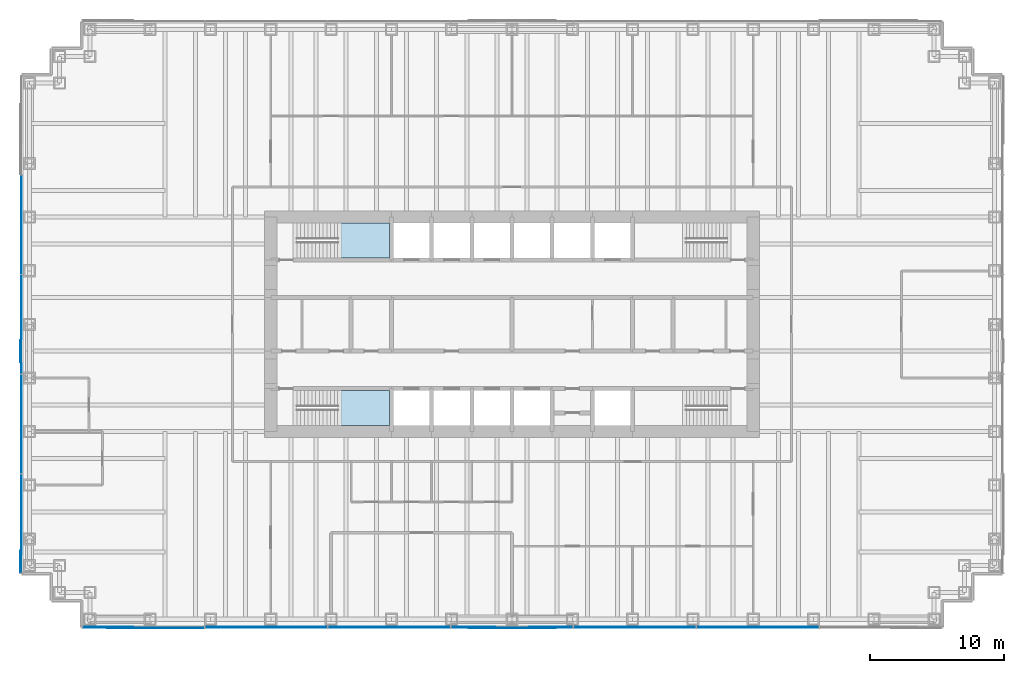
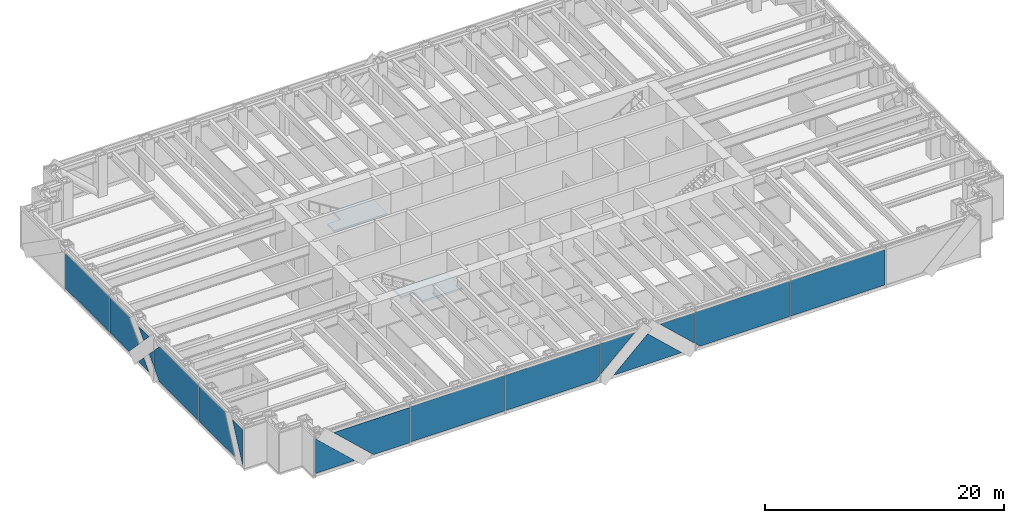
# One storey, part 10 of 17: 17 plates, 2 slabs, 4 elements without a shape of their own.
"""IFC4 building model written with IfcOpenShell, lengths in metres."""

import ifcopenshell
import ifcopenshell.guid

model = None  # the IFC model being written
_history = None  # IfcOwnerHistory: only IFC2X3 demands one
_inside = {}  # id of a spatial element -> (the spatial element, [elements in it])
_under = {}  # id of a project, library or spatial element -> (it, [spatial elements below it])
_declared = {}  # id of a project -> (the project, [libraries it declares])
_typed = {}  # id of a type object -> (the type object, [elements of that type])
_made_of = {}  # id of a material, layer set ... -> (it, [elements and type objects made of it])


def new_model(schema):
    """Start an empty IFC model of exactly this schema.

    Asked for "IFC4X3", IfcOpenShell would pick the latest addendum, in which some entities
    have other attributes; the version numbers below select the first issue.
    IFC2X3 requires an IfcOwnerHistory on every rooted entity: one is made here for all.
    """
    global model, _history
    if schema == "IFC4X3":
        model = ifcopenshell.file(schema_version=(4, 3, 0, 0))
    else:
        model = ifcopenshell.file(schema=schema)
    _inside.clear()
    _under.clear()
    _declared.clear()
    _typed.clear()
    _made_of.clear()
    _history = None
    if model.schema == "IFC2X3":
        org = make("IfcOrganization", Name="unknown")
        user = make(
            "IfcPersonAndOrganization",
            ThePerson=make("IfcPerson", FamilyName="unknown"),
            TheOrganization=org,
        )
        app = make(
            "IfcApplication",
            ApplicationDeveloper=org,
            Version="unknown",
            ApplicationFullName="unknown",
            ApplicationIdentifier="unknown",
        )
        _history = make(
            "IfcOwnerHistory",
            OwningUser=user,
            OwningApplication=app,
            ChangeAction="ADDED",
            CreationDate=0,
        )
    return model


def make(cls, **values):
    """One entity of the class cls with the attributes given. An attribute that is None is left unset."""
    return model.create_entity(
        cls, **{name: value for name, value in values.items() if value is not None}
    )


def rooted(cls, **values):
    """An entity with a GlobalId (a new one), such as an element, a storey or a relation."""
    return make(cls, GlobalId=ifcopenshell.guid.new(), OwnerHistory=_history, **values)


def si_unit(unit_type, name, prefix=None):
    """IfcSIUnit, for example si_unit("LENGTHUNIT", "METRE", prefix="MILLI")."""
    return make("IfcSIUnit", UnitType=unit_type, Prefix=prefix, Name=name)


def assignment(units):
    """IfcUnitAssignment: the units of a project."""
    return None if units is None else make("IfcUnitAssignment", Units=units)


def point(xyz):
    """IfcCartesianPoint."""
    return None if xyz is None else make("IfcCartesianPoint", Coordinates=xyz)


def direction(xyz):
    """IfcDirection."""
    return None if xyz is None else make("IfcDirection", DirectionRatios=xyz)


def frame(location, z_axis=None, x_axis=None):
    """IfcAxis2Placement3D, a coordinate frame: its origin and axes. An axis left out is left unset."""
    return make(
        "IfcAxis2Placement3D",
        Location=point(location),
        Axis=direction(z_axis),
        RefDirection=direction(x_axis),
    )


def frame_2d(location, x_axis=None):
    """IfcAxis2Placement2D, a coordinate frame in the plane: its origin and x axis."""
    return make(
        "IfcAxis2Placement2D", Location=point(location), RefDirection=direction(x_axis)
    )


def origin():
    """The frame at (0, 0, 0) with its axes left unset."""
    return frame((0.0, 0.0, 0.0))


def origin_2d():
    """The frame at (0, 0) in the plane with its x axis left unset."""
    return frame_2d((0.0, 0.0))


def place(relative_to, where):
    """IfcLocalPlacement: puts the frame where relative to a parent placement (None: the world)."""
    return make(
        "IfcLocalPlacement", PlacementRelTo=relative_to, RelativePlacement=where
    )


def context(
    kind, dimensions, precision=None, world=None, true_north=None, identifier=None
):
    """IfcGeometricRepresentationContext, for example the 3D "Model" context."""
    return make(
        "IfcGeometricRepresentationContext",
        ContextIdentifier=identifier,
        ContextType=kind,
        CoordinateSpaceDimension=dimensions,
        Precision=precision,
        WorldCoordinateSystem=world,
        TrueNorth=true_north,
    )


def subcontext(parent, identifier, kind, view, scale=None):
    """IfcGeometricRepresentationSubContext, for example "Body" below "Model"."""
    return make(
        "IfcGeometricRepresentationSubContext",
        ContextIdentifier=identifier,
        ContextType=kind,
        ParentContext=parent,
        TargetScale=scale,
        TargetView=view,
    )


def project(units=None, contexts=None):
    """IfcProject with its units and contexts."""
    return rooted(
        "IfcProject",
        Name="project",
        RepresentationContexts=contexts,
        UnitsInContext=assignment(units),
    )


def spatial(cls, under=None, at=None, **own):
    """A site, building, storey or space (cls), placed at a placement, below another one or the project."""
    s = rooted(cls, ObjectPlacement=at, **own)
    if under is not None:
        _under.setdefault(under.id(), (under, []))[1].append(s)
    return s


def polyline(points):
    """IfcPolyline through the points."""
    return make("IfcPolyline", Points=[point(p) for p in points])


def profile(cls, at=None, kind="AREA", **sizes):
    """A parametric profile (cls). Its sizes go by their IFC names, for example OverallWidth=200.0."""
    return make(cls, ProfileType=kind, Position=at, **sizes)


def rectangle(**sizes):
    """IfcRectangleProfileDef."""
    return profile("IfcRectangleProfileDef", **sizes)


def outline(outer, holes=None, kind="AREA"):
    """IfcArbitraryClosedProfileDef: a profile drawn as a closed curve; with holes, ...WithVoids."""
    if holes is None:
        return make("IfcArbitraryClosedProfileDef", ProfileType=kind, OuterCurve=outer)
    return make(
        "IfcArbitraryProfileDefWithVoids",
        ProfileType=kind,
        OuterCurve=outer,
        InnerCurves=holes,
    )


def extrude(swept, where, along, depth):
    """IfcExtrudedAreaSolid: the profile swept, set in the frame where, extruded along a direction by depth."""
    return make(
        "IfcExtrudedAreaSolid",
        SweptArea=swept,
        Position=where,
        ExtrudedDirection=direction(along),
        Depth=depth,
    )


def shape(context_of_items, identifier, shape_type, items):
    """IfcShapeRepresentation: the items that make up one representation, for example the "Body"."""
    return make(
        "IfcShapeRepresentation",
        ContextOfItems=context_of_items,
        RepresentationIdentifier=identifier,
        RepresentationType=shape_type,
        Items=items,
    )


def material(Name=None, Category=None):
    """IfcMaterial."""
    return make("IfcMaterial", Name=Name, Category=Category)


def layer(
    of_material, thickness, ventilated=None, Name=None, Category=None, Priority=None
):
    """IfcMaterialLayer: one layer of a wall or slab, of a material (None: an air gap)."""
    return make(
        "IfcMaterialLayer",
        Material=of_material,
        LayerThickness=thickness,
        IsVentilated=ventilated,
        Name=Name,
        Category=Category,
        Priority=Priority,
    )


def layer_set(layers, Name=None):
    """IfcMaterialLayerSet."""
    return make("IfcMaterialLayerSet", MaterialLayers=layers, LayerSetName=Name)


def made_of(thing, what):
    """Note that an element or type object is made of a material, layer set ...; save() writes the relation."""
    if what is not None:
        _made_of.setdefault(what.id(), (what, []))[1].append(thing)
    return thing


def type_object(cls, material=None, **own):
    """A type object (cls), such as IfcWallType, which elements share."""
    return made_of(rooted(cls, **own), material)


def element(
    cls,
    number,
    at=None,
    inside=None,
    cuts=None,
    type_object=None,
    material=None,
    context=None,
    identifier="Body",
    shape_type=None,
    held_by="IfcProductDefinitionShape",
    body=None,
    shapes=None,
    **own,
):
    """One element of the class cls, such as IfcWall. Its Tag is "e" and its number.

    at: its placement. inside: the storey or other place that contains it. cuts: it is an
    opening in that element (IfcRelVoidsElement). A single representation is given by context,
    identifier, shape_type and body (its items); several are given by shapes. held_by: the class
    of the entity that holds the representations. save() writes the other relations.
    """
    e = rooted(cls, Tag="e%d" % number, ObjectPlacement=at, **own)
    if body is not None:
        shapes = [shape(context, identifier, shape_type, body)]
    if shapes is not None:
        e.Representation = make(held_by, Representations=shapes)
    if inside is not None:
        _inside.setdefault(inside.id(), (inside, []))[1].append(e)
    if cuts is not None:
        rooted(
            "IfcRelVoidsElement", RelatingBuildingElement=cuts, RelatedOpeningElement=e
        )
    if type_object is not None:
        _typed.setdefault(type_object.id(), (type_object, []))[1].append(e)
    return made_of(e, material)


def aggregate(whole, parts):
    """IfcRelAggregates: a whole, such as a stair, and the parts it consists of."""
    return rooted("IfcRelAggregates", RelatingObject=whole, RelatedObjects=parts)


def save(model, path):
    """Write the relations noted so far, then the file.

    IfcRelAggregates (storeys below a building ...), IfcRelContainedInSpatialStructure (elements
    in a storey), IfcRelDefinesByType, IfcRelAssociatesMaterial and IfcRelDeclares: one each for
    every whole, place, type object, material and project.
    """
    for whole, parts in _under.values():
        aggregate(whole, parts)
    for where, things in _inside.values():
        rooted(
            "IfcRelContainedInSpatialStructure",
            RelatedElements=things,
            RelatingStructure=where,
        )
    for kind, things in _typed.values():
        rooted("IfcRelDefinesByType", RelatedObjects=things, RelatingType=kind)
    for what, things in _made_of.values():
        rooted("IfcRelAssociatesMaterial", RelatedObjects=things, RelatingMaterial=what)
    for by, libraries in _declared.values():
        rooted("IfcRelDeclares", RelatingContext=by, RelatedDefinitions=libraries)
    model.write(path)


model = new_model("IFC4")

# Units and contexts
model_context = context("Model", 3, precision=1e-05, world=origin(), true_north=direction((0.0, 1.0)))
body_context = subcontext(model_context, "Body", "Model", "MODEL_VIEW")
ifc_project = project(units=[si_unit("LENGTHUNIT", "METRE"), si_unit("AREAUNIT", "SQUARE_METRE"), si_unit("VOLUMEUNIT", "CUBIC_METRE"), si_unit("PLANEANGLEUNIT", "RADIAN"), si_unit("MASSUNIT", "GRAM", prefix="KILO")], contexts=[model_context])

# Site, building, storey
site_placement = place(None, origin())
site = spatial("IfcSite", under=ifc_project, at=site_placement, CompositionType="ELEMENT")
building_placement = place(site_placement, origin())
building = spatial("IfcBuilding", under=site, at=building_placement, Name="Rheinbord Bourse Tower", CompositionType="ELEMENT")
storey_placement = place(building_placement, frame((0.0, 0.0, 121.5)))
storey = spatial("IfcBuildingStorey", under=building, at=storey_placement, Name="L26", CompositionType="ELEMENT", Elevation=121.5)

# Curtain wall, plates
ifc_material_1 = material(Name="Dark glass and black aluminium", Category="aluminium")
curtain_wall_type = type_object("IfcCurtainWallType", Name="CW2 DARK GLASS CURTAIN WALL", PredefinedType="USERDEFINED", material=ifc_material_1)
curtain_wall_1_placement = place(storey_placement, origin())
curtain_wall_1 = element("IfcCurtainWall", 1, at=curtain_wall_1_placement, inside=storey, type_object=curtain_wall_type, Name="Curtain wall CW2 S L26", ObjectType="UNITISED CURTAIN WALL", PredefinedType="USERDEFINED")
ifc_material_2 = material(Name="Dark tinted triple insulating glass", Category="glass")
ifc_layer_1 = layer(ifc_material_2, 0.050048828125)
ifc_layer_set_1 = layer_set([ifc_layer_1], Name="CW2 DARK GLASS PANEL")
plate_type = type_object("IfcPlateType", Name="CW2 DARK GLASS PANEL", PredefinedType="CURTAIN_PANEL", material=ifc_layer_set_1)
plate_1_placement = place(storey_placement, frame((17.6572265625, 1.39990234375, 0.300048828125), z_axis=(0.0, 0.0, 1.0), x_axis=(1.0, 0.0, 0.0)))
plate_1 = element("IfcPlate", 2, at=plate_1_placement, type_object=plate_type, Name="CW2 panel 2.1", PredefinedType="CURTAIN_PANEL", context=body_context, shape_type="SweptSolid", body=[
    extrude(rectangle(XDim=9.101318359375, YDim=0.050048828125, at=origin_2d()), origin(), (0.0, 0.0, 1.0), 3.60009765625),
])
plate_2_placement = place(storey_placement, frame((54.3427734375, 1.39990234375, 0.300048828125), z_axis=(0.0, 0.0, 1.0), x_axis=(1.0, 0.0, 0.0)))
plate_2 = element("IfcPlate", 3, at=plate_2_placement, type_object=plate_type, Name="CW2 panel 6.1", PredefinedType="CURTAIN_PANEL", context=body_context, shape_type="SweptSolid", body=[
    extrude(rectangle(XDim=9.101318359375, YDim=0.050048828125, at=origin_2d()), origin(), (0.0, 0.0, 1.0), 3.60009765625),
])
plate_3_placement = place(storey_placement, frame((3.969970703125, 1.375, 0.300048828125), z_axis=(0.0, 1.0, 0.0), x_axis=(0.0, 0.0, 1.0)))
plate_3 = element("IfcPlate", 4, at=plate_3_placement, type_object=plate_type, Name="CW2 glass facet 1", PredefinedType="CURTAIN_PANEL", context=body_context, shape_type="SweptSolid", body=[
    extrude(outline(polyline([(0.0, 0.0), (3.56689453125, 0.0), (0.0, 3.822021484375), (0.0, 0.0)])), origin(), (0.0, 0.0, 1.0), 0.050048828125),
])
plate_4_placement = place(storey_placement, frame((13.035888671875, 1.31982421875, 3.89990234375), z_axis=(0.0, 1.0, 0.0), x_axis=(0.0, 0.0, -1.0)))
plate_4 = element("IfcPlate", 5, at=plate_4_placement, type_object=plate_type, Name="CW2 glass facet 2", PredefinedType="CURTAIN_PANEL", context=body_context, shape_type="SweptSolid", body=[
    extrude(outline(polyline([(0.0, 0.0), (3.599853515625, 0.0), (3.599853515625, 3.470947265625), (0.0, 7.327880859375), (0.0, 0.0)])), origin(), (0.0, 0.0, 1.0), 0.050048828125),
])
plate_5_placement = place(storey_placement, frame((22.278076171875, 1.375, 0.300048828125), z_axis=(0.0, 1.0, 0.0), x_axis=(0.0, 0.0, 1.0)))
plate_5 = element("IfcPlate", 6, at=plate_5_placement, type_object=plate_type, Name="CW2 glass facet 1", PredefinedType="CURTAIN_PANEL", context=body_context, shape_type="SweptSolid", body=[
    extrude(outline(polyline([(0.0, 0.0), (3.599853515625, 0.0), (3.599853515625, 9.100830078125), (0.4150390625, 9.100830078125), (0.0, 8.656982421875), (0.0, 0.0)])), origin(), (0.0, 0.0, 1.0), 0.050048828125),
])
plate_6_placement = place(storey_placement, frame((31.448974609375, 1.375, 3.89990234375), z_axis=(0.0, 1.0, 0.0), x_axis=(1.0, 0.0, 0.0)))
plate_6 = element("IfcPlate", 7, at=plate_6_placement, type_object=plate_type, Name="CW2 glass facet 1", PredefinedType="CURTAIN_PANEL", context=body_context, shape_type="SweptSolid", body=[
    extrude(outline(polyline([(0.0, 0.0), (3.343017578125, 0.0), (0.0, 3.119873046875), (0.0, 0.0)])), origin(), (0.0, 0.0, 1.0), 0.050048828125),
])
plate_7_placement = place(storey_placement, frame((32.7080078125, 1.31982421875, 0.300048828125), z_axis=(0.0, 1.0, 0.0), x_axis=(0.731111160705, 0.0, 0.682258360661)))
plate_7 = element("IfcPlate", 8, at=plate_7_placement, type_object=plate_type, Name="CW2 glass facet 2", PredefinedType="CURTAIN_PANEL", context=body_context, shape_type="SweptSolid", body=[
    extrude(outline(polyline([(0.0, 0.0), (4.502685546875, 0.0), (4.813720703125, 4.491943359375), (0.0, 0.0)])), origin(), (0.0, 0.0, 1.0), 0.050048828125),
])
plate_8_placement = place(storey_placement, frame((40.551025390625, 1.375, 3.89990234375), z_axis=(0.0, 1.0, 0.0), x_axis=(0.0, 0.0, -1.0)))
plate_8 = element("IfcPlate", 9, at=plate_8_placement, type_object=plate_type, Name="CW2 glass facet 3", PredefinedType="CURTAIN_PANEL", context=body_context, shape_type="SweptSolid", body=[
    extrude(outline(polyline([(0.0, 0.0), (3.119873046875, 0.0), (0.0, 3.343017578125), (0.0, 0.0)])), origin(), (0.0, 0.0, 1.0), 0.050048828125),
])
plate_9_placement = place(storey_placement, frame((40.62109375, 1.375, 3.89990234375), z_axis=(0.0, 1.0, 0.0), x_axis=(1.0, 0.0, 0.0)))
plate_9 = element("IfcPlate", 10, at=plate_9_placement, type_object=plate_type, Name="CW2 glass facet 1", PredefinedType="CURTAIN_PANEL", context=body_context, shape_type="SweptSolid", body=[
    extrude(outline(polyline([(0.0, 0.0), (9.100830078125, 0.0), (9.100830078125, 3.599853515625), (0.44384765625, 3.599853515625), (0.0, 3.184814453125), (0.0, 0.0)])), origin(), (0.0, 0.0, 1.0), 0.050048828125),
])
aggregate(curtain_wall_1, [plate_1, plate_2, plate_3, plate_4, plate_5, plate_6, plate_7, plate_8, plate_9])

curtain_wall_2_placement = place(storey_placement, origin())
curtain_wall_2 = element("IfcCurtainWall", 11, at=curtain_wall_2_placement, inside=storey, type_object=curtain_wall_type, Name="Curtain wall CW2 W L26", ObjectType="UNITISED CURTAIN WALL", PredefinedType="USERDEFINED")
plate_10_placement = place(storey_placement, frame((-0.60009765625, 31.43994140625, 0.300048828125), z_axis=(0.0, 0.0, 1.0), x_axis=(0.0, -1.0, 0.0)))
plate_10 = element("IfcPlate", 12, at=plate_10_placement, type_object=plate_type, Name="CW2 panel 2.1", PredefinedType="CURTAIN_PANEL", context=body_context, shape_type="SweptSolid", body=[
    extrude(rectangle(XDim=7.3701171875, YDim=0.050048828125, at=origin_2d()), origin(), (0.0, 0.0, 1.0), 3.60009765625),
])
plate_11_placement = place(storey_placement, frame((-0.625, 27.68505859375, 0.300048828125), z_axis=(1.0, 0.0, 0.0), x_axis=(0.0, 0.0, 1.0)))
plate_11 = element("IfcPlate", 13, at=plate_11_placement, type_object=plate_type, Name="CW2 glass facet 1", PredefinedType="CURTAIN_PANEL", context=body_context, shape_type="SweptSolid", body=[
    extrude(outline(polyline([(0.0, 0.0), (3.599853515625, 0.0), (3.599853515625, 3.135009765625), (1.800048828125, 4.85009765625), (0.0, 3.135009765625), (0.0, 0.0)])), origin(), (0.0, 0.0, 1.0), 0.050048828125),
])
plate_12_placement = place(storey_placement, frame((-0.68017578125, 22.87890625, 0.300048828125), z_axis=(1.0, 0.0, 0.0), x_axis=(0.0, -0.689655172414, 0.724137931034)))
plate_12 = element("IfcPlate", 14, at=plate_12_placement, type_object=plate_type, Name="CW2 glass facet 2", PredefinedType="CURTAIN_PANEL", context=body_context, shape_type="SweptSolid", body=[
    extrude(outline(polyline([(0.0, 0.0), (1.2744140625, 0.0), (1.21240234375, 1.27294921875), (0.0, 0.0)])), origin(), (0.0, 0.0, 1.0), 0.050048828125),
])
plate_13_placement = place(storey_placement, frame((-0.68017578125, 21.12109375, 3.89990234375), z_axis=(1.0, 0.0, 0.0), x_axis=(0.0, 0.689655172414, -0.724137931034)))
plate_13 = element("IfcPlate", 15, at=plate_13_placement, type_object=plate_type, Name="CW2 glass facet 3", PredefinedType="CURTAIN_PANEL", context=body_context, shape_type="SweptSolid", body=[
    extrude(outline(polyline([(0.0, 0.0), (1.2744140625, 0.0), (1.21240234375, 1.27294921875), (0.0, 0.0)])), origin(), (0.0, 0.0, 1.0), 0.050048828125),
])
plate_14_placement = place(storey_placement, frame((-0.625, 20.31494140625, 1.2080078125), z_axis=(1.0, 0.0, 0.0), x_axis=(0.0, 0.689862925404, 0.723940014195)))
plate_14 = element("IfcPlate", 16, at=plate_14_placement, type_object=plate_type, Name="CW2 glass facet 4", PredefinedType="CURTAIN_PANEL", context=body_context, shape_type="SweptSolid", body=[
    extrude(outline(polyline([(0.0, 0.0), (1.232177734375, 0.0), (1.29150390625, 1.230712890625), (0.0, 0.0)])), origin(), (0.0, 0.0, 1.0), 0.050048828125),
])
plate_15_placement = place(storey_placement, frame((-0.625, 12.875, 3.89990234375), z_axis=(1.0, 0.0, 0.0), x_axis=(0.0, 0.0, -1.0)))
plate_15 = element("IfcPlate", 17, at=plate_15_placement, type_object=plate_type, Name="CW2 glass facet 1", PredefinedType="CURTAIN_PANEL", context=body_context, shape_type="SweptSolid", body=[
    extrude(outline(polyline([(0.0, 0.0), (3.599853515625, 0.0), (3.599853515625, 6.574951171875), (2.764892578125, 7.3701171875), (0.833984375, 7.3701171875), (0.0, 6.574951171875), (0.0, 0.0)])), origin(), (0.0, 0.0, 1.0), 0.050048828125),
])
plate_16_placement = place(storey_placement, frame((-0.625, 12.804931640625, 0.300048828125), z_axis=(1.0, 0.0, 0.0), x_axis=(0.0, 0.0, 1.0)))
plate_16 = element("IfcPlate", 18, at=plate_16_placement, type_object=plate_type, Name="CW2 glass facet 1", PredefinedType="CURTAIN_PANEL", context=body_context, shape_type="SweptSolid", body=[
    extrude(outline(polyline([(0.0, 0.0), (3.599853515625, 0.0), (3.599853515625, 4.27783203125), (0.0, 5.991943359375), (0.0, 0.0)])), origin(), (0.0, 0.0, 1.0), 0.050048828125),
])
plate_17_placement = place(storey_placement, frame((-0.68017578125, 5.469970703125, 3.89990234375), z_axis=(1.0, 0.0, 0.0), x_axis=(0.0, 0.0, -1.0)))
plate_17 = element("IfcPlate", 19, at=plate_17_placement, type_object=plate_type, Name="CW2 glass facet 2", PredefinedType="CURTAIN_PANEL", context=body_context, shape_type="SweptSolid", body=[
    extrude(outline(polyline([(0.0, 0.0), (3.599853515625, 0.0), (3.599853515625, 0.0029296875), (0.0, 1.717041015625), (0.0, 0.0)])), origin(), (0.0, 0.0, 1.0), 0.050048828125),
])
aggregate(curtain_wall_2, [plate_10, plate_11, plate_12, plate_13, plate_14, plate_15, plate_16, plate_17])

# Stair, slab
ifc_material_3 = material(Name="Concrete C30/37", Category="concrete")
stair_type = type_object("IfcStairType", Name="CORE STAIR HALF TURN 4200", PredefinedType="HALF_TURN_STAIR", material=ifc_material_3)
stair_1_placement = place(storey_placement, origin())
stair_1 = element("IfcStair", 20, at=stair_1_placement, inside=storey, type_object=stair_type, Name="Stair ST1 L26, type CS6", PredefinedType="HALF_TURN_STAIR")
ifc_material_4 = material(Name="Concrete C30/37", Category="concrete")
ifc_layer_2 = layer(ifc_material_4, 0.199951171875)
ifc_layer_set_2 = layer_set([ifc_layer_2], Name="STAIR LANDING 200")
slab_type = type_object("IfcSlabType", Name="STAIR LANDING 200", PredefinedType="LANDING", material=ifc_layer_set_2)
slab_1_placement = place(storey_placement, frame((0.0, 0.0, 1.89990234375)))
slab_1 = element("IfcSlab", 21, at=slab_1_placement, type_object=slab_type, Name="Half landing ST1 L26", PredefinedType="LANDING", context=body_context, shape_type="SweptSolid", body=[
    extrude(outline(polyline([(23.030029296875, 16.449951171875), (26.85009765625, 16.449951171875), (26.85009765625, 19.050048828125), (21.748046875, 19.050048828125), (21.748046875, 17.85009765625), (23.030029296875, 17.85009765625), (23.030029296875, 16.449951171875)])), origin(), (0.0, 0.0, 1.0), 0.2001953125),
])
aggregate(stair_1, [slab_1])

stair_2_placement = place(storey_placement, origin())
stair_2 = element("IfcStair", 22, at=stair_2_placement, inside=storey, type_object=stair_type, Name="Stair ST2 L26, type CS6", PredefinedType="HALF_TURN_STAIR")
slab_2_placement = place(storey_placement, frame((0.0, 0.0, 1.89990234375)))
slab_2 = element("IfcSlab", 23, at=slab_2_placement, type_object=slab_type, Name="Half landing ST2 L26", PredefinedType="LANDING", context=body_context, shape_type="SweptSolid", body=[
    extrude(outline(polyline([(21.748046875, 28.949951171875), (26.85009765625, 28.949951171875), (26.85009765625, 31.550048828125), (23.030029296875, 31.550048828125), (23.030029296875, 30.14990234375), (21.748046875, 30.14990234375), (21.748046875, 28.949951171875)])), origin(), (0.0, 0.0, 1.0), 0.2001953125),
])
aggregate(stair_2, [slab_2])

save(model, "model.ifc")
